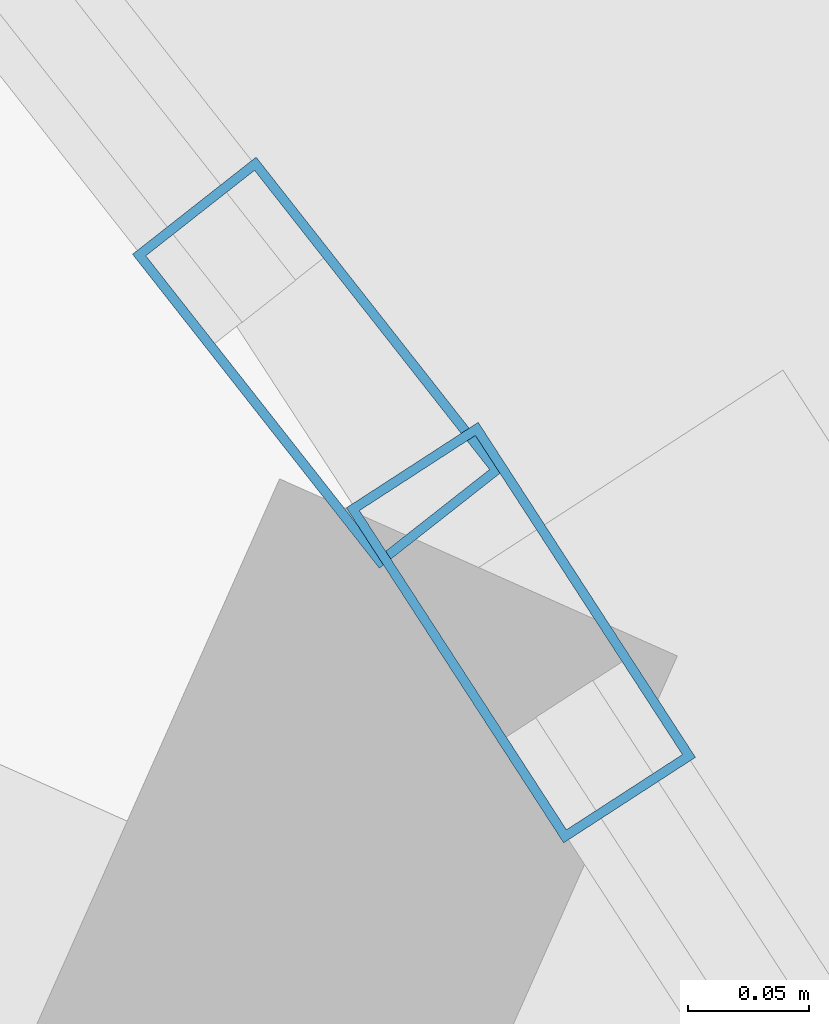
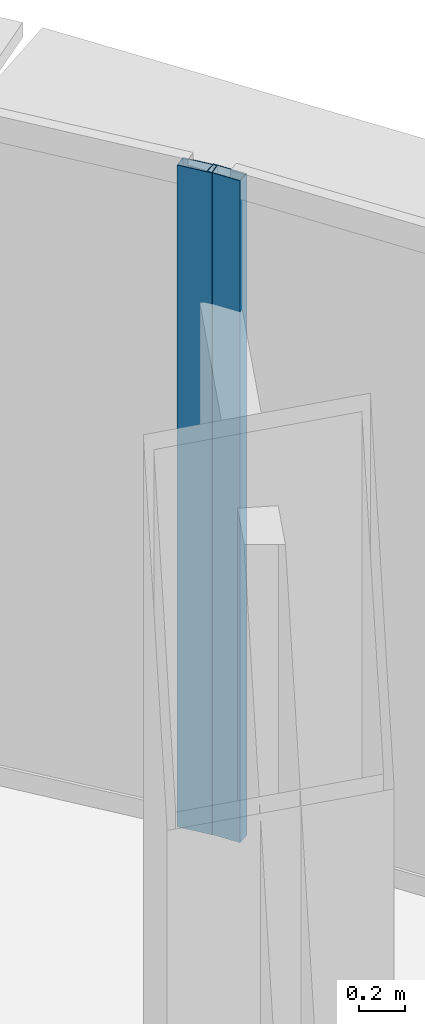
# One storey, part 18 of 39: 2 members, 2 elements without a shape of their own.
"""IFC4 building model written with IfcOpenShell, lengths in metres."""

from ifc_helpers import new_model, si_unit, direction, frame, origin, origin_2d, place, context, subcontext, project, spatial, hollow_rectangle, extrude, source, transform, mapped, material, layer, layer_set, material_profile, profile_set, type_object, element, aggregate, save


model = new_model("IFC4")

# Units and contexts
model_context = context("Model", 3, precision=1e-05, world=origin(), true_north=direction((0.0, 1.0)))
body_context = subcontext(model_context, "Body", "Model", "MODEL_VIEW")
ifc_project = project(units=[si_unit("LENGTHUNIT", "METRE"), si_unit("AREAUNIT", "SQUARE_METRE"), si_unit("VOLUMEUNIT", "CUBIC_METRE"), si_unit("PLANEANGLEUNIT", "RADIAN"), si_unit("MASSUNIT", "GRAM", prefix="KILO"), si_unit("THERMODYNAMICTEMPERATUREUNIT", "KELVIN"), si_unit("POWERUNIT", "WATT")], contexts=[model_context])

# Site, building, storey
site_placement = place(None, origin())
site = spatial("IfcSite", under=ifc_project, at=site_placement, CompositionType="ELEMENT")
building_placement = place(site_placement, origin())
building = spatial("IfcBuilding", under=site, at=building_placement, Name="Yunzhuo Pagoda Commons", CompositionType="ELEMENT")
storey_placement = place(building_placement, frame((0.0, 0.0, 100.179931640625)))
storey = spatial("IfcBuildingStorey", under=building, at=storey_placement, Name="L25", CompositionType="ELEMENT", Elevation=100.179931640625)

# Curtain wall, member
ifc_material = material(Name="Anodized aluminium 6063-T6", Category="aluminium")
ifc_layer = layer(ifc_material, 0.1650390625)
ifc_layer_set = layer_set([ifc_layer], Name="Anodized aluminium 6063-T6")
curtain_wall_type = type_object("IfcCurtainWallType", Name="CW-LOW Low-Zone Ribbon Curtain Wall", PredefinedType="NOTDEFINED", material=ifc_layer_set)
curtain_wall_1_placement = place(storey_placement, origin())
curtain_wall_1 = element("IfcCurtainWall", 1, at=curtain_wall_1_placement, inside=storey, type_object=curtain_wall_type, Name="L25 curtain wall CW-L25-F2B4", PredefinedType="NOTDEFINED")
ifc_material_profile = material_profile(ifc_material, hollow_rectangle(XDim=0.06494140625, YDim=0.1650390625, WallThickness=0.00390625, at=origin_2d()), Name="Anodized aluminium 6063-T6")
ifc_profile_set = profile_set([ifc_material_profile], Name="Anodized aluminium 6063-T6")
member_type = type_object("IfcMemberType", Name="CW-LOW-M Mullion RHS 165x65x4", PredefinedType="MULLION", material=ifc_profile_set)
shared_shape = source(origin(), body_context, "Body", "SweptSolid", [
    extrude(hollow_rectangle(XDim=0.06494140625, YDim=0.1650390625, WallThickness=0.00390625, at=origin_2d()), origin(), (0.0, 0.0, 1.0), 3.5400390625),
])
member_1_placement = place(storey_placement, frame((64.787841796875, 71.339599609375, 0.0), z_axis=(0.0, 0.0, 1.0), x_axis=(-0.838972259493, -0.544174188841, 0.0)))
member_1 = element("IfcMember", 2, at=member_1_placement, type_object=member_type, Name="CW mullion 2", PredefinedType="MULLION", context=body_context, shape_type="MappedRepresentation", body=[
    mapped(shared_shape, transform((0.0, 0.0, 0.0), scale=1.0)),
])
aggregate(curtain_wall_1, [member_1])

curtain_wall_2_placement = place(storey_placement, origin())
curtain_wall_2 = element("IfcCurtainWall", 3, at=curtain_wall_2_placement, inside=storey, type_object=curtain_wall_type, Name="L25 curtain wall CW-L25-F2B5", PredefinedType="NOTDEFINED")
member_2_placement = place(storey_placement, frame((64.703857421875, 71.451171875, 0.0), z_axis=(0.0, 0.0, 1.0), x_axis=(-0.786214870416, -0.617953216301, 0.0)))
member_2 = element("IfcMember", 4, at=member_2_placement, type_object=member_type, Name="CW mullion 1", PredefinedType="MULLION", context=body_context, shape_type="MappedRepresentation", body=[
    mapped(shared_shape, transform((0.0, 0.0, 0.0), scale=1.0)),
])
aggregate(curtain_wall_2, [member_2])

save(model, "model.ifc")
